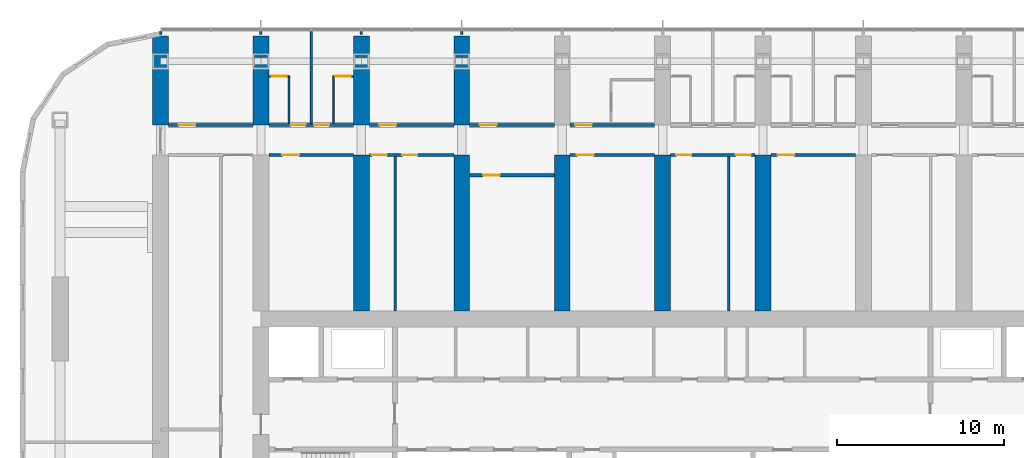
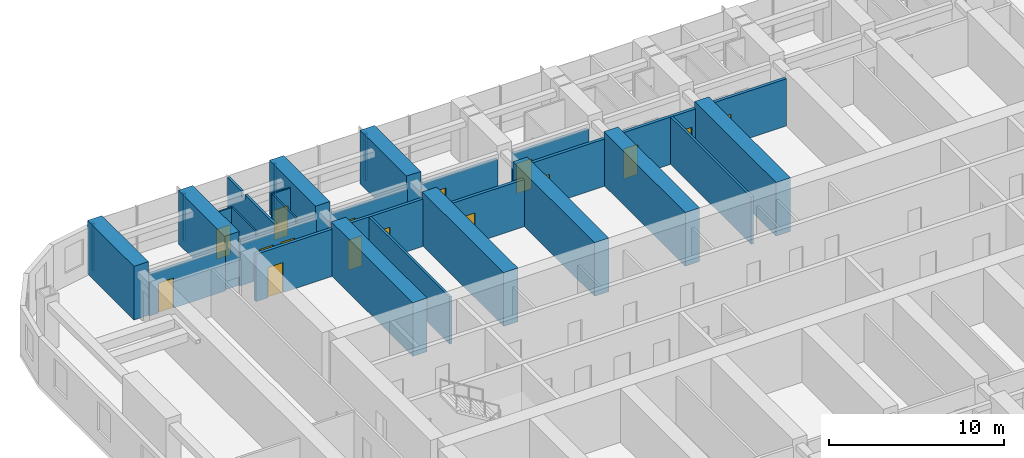
# One storey, part 13 of 21: 31 walls, 16 doors, 16 openings.
"""IFC4 building model written with IfcOpenShell, lengths in metres."""

from ifc_helpers import new_model, si_unit, direction, frame, frame_2d, origin, place, context, subcontext, project, spatial, polyline, rectangle, outline, extrude, material, layer, layer_set, type_object, element, fill, save


model = new_model("IFC4")

# Units and contexts
model_context = context("Model", 3, precision=1e-05, world=origin(), true_north=direction((0.0, 1.0)))
body_context = subcontext(model_context, "Body", "Model", "MODEL_VIEW")
ifc_project = project(units=[si_unit("LENGTHUNIT", "METRE"), si_unit("AREAUNIT", "SQUARE_METRE"), si_unit("VOLUMEUNIT", "CUBIC_METRE"), si_unit("PLANEANGLEUNIT", "RADIAN"), si_unit("MASSUNIT", "GRAM", prefix="KILO")], contexts=[model_context])

# Site, building, storey
site_placement = place(None, origin())
site = spatial("IfcSite", under=ifc_project, at=site_placement, CompositionType="ELEMENT")
building_placement = place(site_placement, origin())
building = spatial("IfcBuilding", under=site, at=building_placement, Name="Orbita Commons", CompositionType="ELEMENT")
storey_placement = place(building_placement, frame((0.0, 0.0, 110.64990234375)))
storey = spatial("IfcBuildingStorey", under=building, at=storey_placement, Name="L27", CompositionType="ELEMENT", Elevation=110.64990234375)

# Wall, opening, door
ifc_material_1 = material(Name="Concrete blockwork", Category="masonry")
ifc_layer_1 = layer(ifc_material_1, 0.199951171875)
ifc_layer_set_1 = layer_set([ifc_layer_1], Name="Concrete blockwork")
wall_type_1 = type_object("IfcWallType", Name="Corridor wall 200 blockwork", PredefinedType="SOLIDWALL", material=ifc_layer_set_1)
wall_1_placement = place(storey_placement, frame((12.47509765625, 49.800048828125, 0.0), z_axis=(0.0, 0.0, 1.0), x_axis=(1.0, 0.0, 0.0)))
wall_1 = element("IfcWall", 1, at=wall_1_placement, inside=storey, type_object=wall_type_1, Name="Corridor wall 200 blockwork L27", PredefinedType="SOLIDWALL", context=body_context, shape_type="SweptSolid", body=[
    extrude(outline(polyline([(0.0, 0.0), (5.0498046875, 0.0), (5.050048828125, 2.900146484375), (0.0, 2.900146484375), (0.0, 0.0)])), frame((0.0, 0.10009765625, 0.0), z_axis=(0.0, -1.0, 0.0), x_axis=(1.0, 0.0, 0.0)), (0.0, 0.0, 1.0), 0.199951171875),
])
opening_1_placement = place(wall_1_placement, frame((0.60009765625, 0.0, 0.0)))
opening_1 = element("IfcOpeningElement", 2, at=opening_1_placement, cuts=wall_1, Name="Opening D06", PredefinedType="OPENING", context=body_context, shape_type="SweptSolid", body=[
    extrude(rectangle(XDim=1.0, YDim=2.10009765625, at=frame_2d((0.5, 1.050048828125))), frame((0.0, 0.10986328125, 0.0), z_axis=(0.0, -1.0, 0.0), x_axis=(1.0, 0.0, 0.0)), (0.0, 0.0, 1.0), 0.219970703125),
])
ifc_material_2 = material(Name="Steel-faced fire door leaf", Category="steel")
door_type_1 = type_object("IfcDoorType", Name="Corridor door 20 min 1000x2100", OperationType="SINGLE_SWING_LEFT", PredefinedType="DOOR", material=ifc_material_2)
door_1_placement = place(opening_1_placement, origin())
door_1 = element("IfcDoor", 3, at=door_1_placement, inside=storey, type_object=door_type_1, Name="Sea-view lounge L27-N00 door", OperationType="SINGLE_SWING_LEFT", OverallHeight=2.10009765625, OverallWidth=1.0, PredefinedType="DOOR", context=body_context, shape_type="SweptSolid", body=[
    extrude(rectangle(XDim=1.0, YDim=2.10009765625, at=frame_2d((0.5, 1.050048828125))), frame((0.0, 0.02490234375, 0.0), z_axis=(0.0, -1.0, 0.0), x_axis=(1.0, 0.0, 0.0)), (0.0, 0.0, 1.0), 0.050048828125),
])
fill(opening_1, door_1)

# Wall, openings, doors
wall_2_placement = place(storey_placement, frame((18.47509765625, 49.800048828125, 0.0), z_axis=(0.0, 0.0, 1.0), x_axis=(1.0, 0.0, 0.0)))
wall_2 = element("IfcWall", 4, at=wall_2_placement, inside=storey, type_object=wall_type_1, Name="Corridor wall 200 blockwork L27", PredefinedType="SOLIDWALL", context=body_context, shape_type="SweptSolid", body=[
    extrude(outline(polyline([(0.0, 0.0), (5.0498046875, 0.0), (5.050048828125, 2.900146484375), (0.0, 2.900146484375), (0.0, 0.0)])), frame((0.0, 0.10009765625, 0.0), z_axis=(0.0, -1.0, 0.0), x_axis=(1.0, 0.0, 0.0)), (0.0, 0.0, 1.0), 0.199951171875),
])
opening_2_placement = place(wall_2_placement, frame((1.300048828125, 0.0, 0.0)))
opening_2 = element("IfcOpeningElement", 5, at=opening_2_placement, cuts=wall_2, Name="Opening D11", PredefinedType="OPENING", context=body_context, shape_type="SweptSolid", body=[
    extrude(rectangle(XDim=0.89990234375, YDim=2.10009765625, at=frame_2d((0.449951171875, 1.050048828125))), frame((0.0, 0.10986328125, 0.0), z_axis=(0.0, -1.0, 0.0), x_axis=(1.0, 0.0, 0.0)), (0.0, 0.0, 1.0), 0.219970703125),
])
opening_3_placement = place(wall_2_placement, frame((2.699951171875, 0.0, 0.0)))
opening_3 = element("IfcOpeningElement", 6, at=opening_3_placement, cuts=wall_2, Name="Opening D11", PredefinedType="OPENING", context=body_context, shape_type="SweptSolid", body=[
    extrude(rectangle(XDim=0.89990234375, YDim=2.10009765625, at=frame_2d((0.449951171875, 1.050048828125))), frame((0.0, 0.10986328125, 0.0), z_axis=(0.0, -1.0, 0.0), x_axis=(1.0, 0.0, 0.0)), (0.0, 0.0, 1.0), 0.219970703125),
])
ifc_material_3 = material(Name="Steel-faced fire door leaf", Category="steel")
door_type_2 = type_object("IfcDoorType", Name="Corridor door 20 min 900x2100", OperationType="SINGLE_SWING_LEFT", PredefinedType="DOOR", material=ifc_material_3)
door_2_placement = place(opening_2_placement, origin())
door_2 = element("IfcDoor", 7, at=door_2_placement, inside=storey, type_object=door_type_2, Name="Cluster bedroom L27-N02 door", OperationType="SINGLE_SWING_LEFT", OverallHeight=2.10009765625, OverallWidth=0.89990234375, PredefinedType="DOOR", context=body_context, shape_type="SweptSolid", body=[
    extrude(rectangle(XDim=0.89990234375, YDim=2.10009765625, at=frame_2d((0.449951171875, 1.050048828125))), frame((0.0, 0.02490234375, 0.0), z_axis=(0.0, -1.0, 0.0), x_axis=(1.0, 0.0, 0.0)), (0.0, 0.0, 1.0), 0.050048828125),
])
fill(opening_2, door_2)
door_3_placement = place(opening_3_placement, origin())
door_3 = element("IfcDoor", 8, at=door_3_placement, inside=storey, type_object=door_type_2, Name="Cluster bedroom L27-N03 door", OperationType="SINGLE_SWING_LEFT", OverallHeight=2.10009765625, OverallWidth=0.89990234375, PredefinedType="DOOR", context=body_context, shape_type="SweptSolid", body=[
    extrude(rectangle(XDim=0.89990234375, YDim=2.10009765625, at=frame_2d((0.449951171875, 1.050048828125))), frame((0.0, 0.02490234375, 0.0), z_axis=(0.0, -1.0, 0.0), x_axis=(1.0, 0.0, 0.0)), (0.0, 0.0, 1.0), 0.050048828125),
])
fill(opening_3, door_3)

# Wall, opening, door
wall_3_placement = place(storey_placement, frame((24.47509765625, 49.800048828125, 0.0), z_axis=(0.0, 0.0, 1.0), x_axis=(1.0, 0.0, 0.0)))
wall_3 = element("IfcWall", 9, at=wall_3_placement, inside=storey, type_object=wall_type_1, Name="Corridor wall 200 blockwork L27", PredefinedType="SOLIDWALL", context=body_context, shape_type="SweptSolid", body=[
    extrude(outline(polyline([(0.0, 0.0), (5.0498046875, 0.0), (5.050048828125, 2.900146484375), (0.0, 2.900146484375), (0.0, 0.0)])), frame((0.0, 0.10009765625, 0.0), z_axis=(0.0, -1.0, 0.0), x_axis=(1.0, 0.0, 0.0)), (0.0, 0.0, 1.0), 0.199951171875),
])
opening_4_placement = place(wall_3_placement, frame((0.60009765625, 0.0, 0.0)))
opening_4 = element("IfcOpeningElement", 10, at=opening_4_placement, cuts=wall_3, Name="Opening D06", PredefinedType="OPENING", context=body_context, shape_type="SweptSolid", body=[
    extrude(rectangle(XDim=1.0, YDim=2.10009765625, at=frame_2d((0.5, 1.050048828125))), frame((0.0, 0.10986328125, 0.0), z_axis=(0.0, -1.0, 0.0), x_axis=(1.0, 0.0, 0.0)), (0.0, 0.0, 1.0), 0.219970703125),
])
door_4_placement = place(opening_4_placement, origin())
door_4 = element("IfcDoor", 11, at=door_4_placement, inside=storey, type_object=door_type_1, Name="Sea-view lounge L27-N04 door", OperationType="SINGLE_SWING_LEFT", OverallHeight=2.10009765625, OverallWidth=1.0, PredefinedType="DOOR", context=body_context, shape_type="SweptSolid", body=[
    extrude(rectangle(XDim=1.0, YDim=2.10009765625, at=frame_2d((0.5, 1.050048828125))), frame((0.0, 0.02490234375, 0.0), z_axis=(0.0, -1.0, 0.0), x_axis=(1.0, 0.0, 0.0)), (0.0, 0.0, 1.0), 0.050048828125),
])
fill(opening_4, door_4)

wall_4_placement = place(storey_placement, frame((30.47509765625, 49.800048828125, 0.0), z_axis=(0.0, 0.0, 1.0), x_axis=(1.0, 0.0, 0.0)))
wall_4 = element("IfcWall", 12, at=wall_4_placement, inside=storey, type_object=wall_type_1, Name="Corridor wall 200 blockwork L27", PredefinedType="SOLIDWALL", context=body_context, shape_type="SweptSolid", body=[
    extrude(outline(polyline([(0.0, 0.0), (5.0498046875, 0.0), (5.050048828125, 2.900146484375), (0.0, 2.900146484375), (0.0, 0.0)])), frame((0.0, 0.10009765625, 0.0), z_axis=(0.0, -1.0, 0.0), x_axis=(1.0, 0.0, 0.0)), (0.0, 0.0, 1.0), 0.199951171875),
])
opening_5_placement = place(wall_4_placement, frame((0.60009765625, 0.0, 0.0)))
opening_5 = element("IfcOpeningElement", 13, at=opening_5_placement, cuts=wall_4, Name="Opening D06", PredefinedType="OPENING", context=body_context, shape_type="SweptSolid", body=[
    extrude(rectangle(XDim=1.0, YDim=2.10009765625, at=frame_2d((0.5, 1.050048828125))), frame((0.0, 0.10986328125, 0.0), z_axis=(0.0, -1.0, 0.0), x_axis=(1.0, 0.0, 0.0)), (0.0, 0.0, 1.0), 0.219970703125),
])
door_5_placement = place(opening_5_placement, origin())
door_5 = element("IfcDoor", 14, at=door_5_placement, inside=storey, type_object=door_type_1, Name="Sea-view lounge L27-N06 door", OperationType="SINGLE_SWING_LEFT", OverallHeight=2.10009765625, OverallWidth=1.0, PredefinedType="DOOR", context=body_context, shape_type="SweptSolid", body=[
    extrude(rectangle(XDim=1.0, YDim=2.10009765625, at=frame_2d((0.5, 1.050048828125))), frame((0.0, 0.02490234375, 0.0), z_axis=(0.0, -1.0, 0.0), x_axis=(1.0, 0.0, 0.0)), (0.0, 0.0, 1.0), 0.050048828125),
])
fill(opening_5, door_5)

wall_5_placement = place(storey_placement, frame((36.47509765625, 49.800048828125, 0.0), z_axis=(0.0, 0.0, 1.0), x_axis=(1.0, 0.0, 0.0)))
wall_5 = element("IfcWall", 15, at=wall_5_placement, inside=storey, type_object=wall_type_1, Name="Corridor wall 200 blockwork L27", PredefinedType="SOLIDWALL", context=body_context, shape_type="SweptSolid", body=[
    extrude(outline(polyline([(0.0, 0.0), (5.0498046875, 0.0), (5.050048828125, 2.900146484375), (0.0, 2.900146484375), (0.0, 0.0)])), frame((0.0, 0.10009765625, 0.0), z_axis=(0.0, -1.0, 0.0), x_axis=(1.0, 0.0, 0.0)), (0.0, 0.0, 1.0), 0.199951171875),
])
opening_6_placement = place(wall_5_placement, frame((0.300048828125, 0.0, 0.0)))
opening_6 = element("IfcOpeningElement", 16, at=opening_6_placement, cuts=wall_5, Name="Opening D06", PredefinedType="OPENING", context=body_context, shape_type="SweptSolid", body=[
    extrude(rectangle(XDim=1.0, YDim=2.10009765625, at=frame_2d((0.5, 1.050048828125))), frame((0.0, 0.10986328125, 0.0), z_axis=(0.0, -1.0, 0.0), x_axis=(1.0, 0.0, 0.0)), (0.0, 0.0, 1.0), 0.219970703125),
])
door_6_placement = place(opening_6_placement, origin())
door_6 = element("IfcDoor", 17, at=door_6_placement, inside=storey, type_object=door_type_1, Name="Accessible bedroom L27-N08 door", OperationType="SINGLE_SWING_LEFT", OverallHeight=2.10009765625, OverallWidth=1.0, PredefinedType="DOOR", context=body_context, shape_type="SweptSolid", body=[
    extrude(rectangle(XDim=1.0, YDim=2.10009765625, at=frame_2d((0.5, 1.050048828125))), frame((0.0, 0.02490234375, 0.0), z_axis=(0.0, -1.0, 0.0), x_axis=(1.0, 0.0, 0.0)), (0.0, 0.0, 1.0), 0.050048828125),
])
fill(opening_6, door_6)

ifc_material_4 = material(Name="Hollow concrete block 200", Category="concrete")
ifc_layer_2 = layer(ifc_material_4, 0.199951171875)
ifc_layer_set_2 = layer_set([ifc_layer_2], Name="Hollow concrete block 200")
wall_type_2 = type_object("IfcWallType", Name="Corridor wall 200 hollow concrete block", PredefinedType="SOLIDWALL", material=ifc_layer_set_2)
wall_6_placement = place(storey_placement, frame((18.47509765625, 48.0, 0.0), z_axis=(0.0, 0.0, 1.0), x_axis=(1.0, 0.0, 0.0)))
wall_6 = element("IfcWall", 18, at=wall_6_placement, inside=storey, type_object=wall_type_2, Name="Corridor wall 200 hollow concrete block L27", PredefinedType="SOLIDWALL", context=body_context, shape_type="SweptSolid", body=[
    extrude(rectangle(XDim=5.0498046875, YDim=0.199951171875, at=frame_2d((2.52490234375, 0.0))), origin(), (0.0, 0.0, 1.0), 3.300048828125),
])
opening_7_placement = place(wall_6_placement, frame((0.800048828125, 0.0, 0.0)))
opening_7 = element("IfcOpeningElement", 19, at=opening_7_placement, cuts=wall_6, Name="Opening D06", PredefinedType="OPENING", context=body_context, shape_type="SweptSolid", body=[
    extrude(rectangle(XDim=1.0, YDim=2.10009765625, at=frame_2d((0.5, 1.050048828125))), frame((0.0, 0.10986328125, 0.0), z_axis=(0.0, -1.0, 0.0), x_axis=(1.0, 0.0, 0.0)), (0.0, 0.0, 1.0), 0.219970703125),
])
door_7_placement = place(opening_7_placement, origin())
door_7 = element("IfcDoor", 20, at=door_7_placement, inside=storey, type_object=door_type_1, Name="Electrical and data room L27-BDN18 door", OperationType="SINGLE_SWING_LEFT", OverallHeight=2.10009765625, OverallWidth=1.0, PredefinedType="DOOR", context=body_context, shape_type="SweptSolid", body=[
    extrude(rectangle(XDim=1.0, YDim=2.10009765625, at=frame_2d((0.5, 1.050048828125))), frame((0.0, 0.02490234375, 0.0), z_axis=(0.0, -1.0, 0.0), x_axis=(1.0, 0.0, 0.0)), (0.0, 0.0, 1.0), 0.050048828125),
])
fill(opening_7, door_7)

# Wall, openings, doors
wall_7_placement = place(storey_placement, frame((24.47509765625, 48.0, 0.0), z_axis=(0.0, 0.0, 1.0), x_axis=(1.0, 0.0, 0.0)))
wall_7 = element("IfcWall", 21, at=wall_7_placement, inside=storey, type_object=wall_type_2, Name="Corridor wall 200 hollow concrete block L27", PredefinedType="SOLIDWALL", context=body_context, shape_type="SweptSolid", body=[
    extrude(rectangle(XDim=5.0498046875, YDim=0.199951171875, at=frame_2d((2.52490234375, 0.0))), origin(), (0.0, 0.0, 1.0), 3.300048828125),
])
opening_8_placement = place(wall_7_placement, frame((0.14990234375, 0.0, 0.0)))
opening_8 = element("IfcOpeningElement", 22, at=opening_8_placement, cuts=wall_7, Name="Opening D11", PredefinedType="OPENING", context=body_context, shape_type="SweptSolid", body=[
    extrude(rectangle(XDim=0.89990234375, YDim=2.10009765625, at=frame_2d((0.449951171875, 1.050048828125))), frame((0.0, 0.10986328125, 0.0), z_axis=(0.0, -1.0, 0.0), x_axis=(1.0, 0.0, 0.0)), (0.0, 0.0, 1.0), 0.219970703125),
])
opening_9_placement = place(wall_7_placement, frame((1.97509765625, 0.0, 0.0)))
opening_9 = element("IfcOpeningElement", 23, at=opening_9_placement, cuts=wall_7, Name="Opening D11", PredefinedType="OPENING", context=body_context, shape_type="SweptSolid", body=[
    extrude(rectangle(XDim=0.89990234375, YDim=2.10009765625, at=frame_2d((0.449951171875, 1.050048828125))), frame((0.0, 0.10986328125, 0.0), z_axis=(0.0, -1.0, 0.0), x_axis=(1.0, 0.0, 0.0)), (0.0, 0.0, 1.0), 0.219970703125),
])
door_8_placement = place(opening_8_placement, origin())
door_8 = element("IfcDoor", 24, at=door_8_placement, inside=storey, type_object=door_type_2, Name="Battery and UPS room L27-BDN24n door", OperationType="SINGLE_SWING_LEFT", OverallHeight=2.10009765625, OverallWidth=0.89990234375, PredefinedType="DOOR", context=body_context, shape_type="SweptSolid", body=[
    extrude(rectangle(XDim=0.89990234375, YDim=2.10009765625, at=frame_2d((0.449951171875, 1.050048828125))), frame((0.0, 0.02490234375, 0.0), z_axis=(0.0, -1.0, 0.0), x_axis=(1.0, 0.0, 0.0)), (0.0, 0.0, 1.0), 0.050048828125),
])
fill(opening_8, door_8)
door_9_placement = place(opening_9_placement, origin())
door_9 = element("IfcDoor", 25, at=door_9_placement, inside=storey, type_object=door_type_2, Name="Storage lockers L27-BDN24 door", OperationType="SINGLE_SWING_LEFT", OverallHeight=2.10009765625, OverallWidth=0.89990234375, PredefinedType="DOOR", context=body_context, shape_type="SweptSolid", body=[
    extrude(rectangle(XDim=0.89990234375, YDim=2.10009765625, at=frame_2d((0.449951171875, 1.050048828125))), frame((0.0, 0.02490234375, 0.0), z_axis=(0.0, -1.0, 0.0), x_axis=(1.0, 0.0, 0.0)), (0.0, 0.0, 1.0), 0.050048828125),
])
fill(opening_9, door_9)

# Wall, opening, door
wall_8_placement = place(storey_placement, frame((36.47509765625, 48.0, 0.0), z_axis=(0.0, 0.0, 1.0), x_axis=(1.0, 0.0, 0.0)))
wall_8 = element("IfcWall", 26, at=wall_8_placement, inside=storey, type_object=wall_type_2, Name="Corridor wall 200 hollow concrete block L27", PredefinedType="SOLIDWALL", context=body_context, shape_type="SweptSolid", body=[
    extrude(rectangle(XDim=5.0498046875, YDim=0.199951171875, at=frame_2d((2.52490234375, 0.0))), origin(), (0.0, 0.0, 1.0), 3.300048828125),
])
opening_10_placement = place(wall_8_placement, frame((0.39990234375, 0.0, 0.0)))
opening_10 = element("IfcOpeningElement", 27, at=opening_10_placement, cuts=wall_8, Name="Opening D06", PredefinedType="OPENING", context=body_context, shape_type="SweptSolid", body=[
    extrude(rectangle(XDim=1.0, YDim=2.10009765625, at=frame_2d((0.5, 1.050048828125))), frame((0.0, 0.10986328125, 0.0), z_axis=(0.0, -1.0, 0.0), x_axis=(1.0, 0.0, 0.0)), (0.0, 0.0, 1.0), 0.219970703125),
])
door_10_placement = place(opening_10_placement, origin())
door_10 = element("IfcDoor", 28, at=door_10_placement, inside=storey, type_object=door_type_1, Name="Parcel and post room L27-BDN36 door", OperationType="SINGLE_SWING_LEFT", OverallHeight=2.10009765625, OverallWidth=1.0, PredefinedType="DOOR", context=body_context, shape_type="SweptSolid", body=[
    extrude(rectangle(XDim=1.0, YDim=2.10009765625, at=frame_2d((0.5, 1.050048828125))), frame((0.0, 0.02490234375, 0.0), z_axis=(0.0, -1.0, 0.0), x_axis=(1.0, 0.0, 0.0)), (0.0, 0.0, 1.0), 0.050048828125),
])
fill(opening_10, door_10)

# Wall, openings, doors
wall_9_placement = place(storey_placement, frame((42.47509765625, 48.0, 0.0), z_axis=(0.0, 0.0, 1.0), x_axis=(1.0, 0.0, 0.0)))
wall_9 = element("IfcWall", 29, at=wall_9_placement, inside=storey, type_object=wall_type_2, Name="Corridor wall 200 hollow concrete block L27", PredefinedType="SOLIDWALL", context=body_context, shape_type="SweptSolid", body=[
    extrude(rectangle(XDim=5.0498046875, YDim=0.199951171875, at=frame_2d((2.52490234375, 0.0))), origin(), (0.0, 0.0, 1.0), 3.300048828125),
])
opening_11_placement = place(wall_9_placement, frame((0.35009765625, 0.0, 0.0)))
opening_11 = element("IfcOpeningElement", 30, at=opening_11_placement, cuts=wall_9, Name="Opening D11", PredefinedType="OPENING", context=body_context, shape_type="SweptSolid", body=[
    extrude(rectangle(XDim=0.89990234375, YDim=2.10009765625, at=frame_2d((0.449951171875, 1.050048828125))), frame((0.0, 0.10986328125, 0.0), z_axis=(0.0, -1.0, 0.0), x_axis=(1.0, 0.0, 0.0)), (0.0, 0.0, 1.0), 0.219970703125),
])
opening_12_placement = place(wall_9_placement, frame((3.905029296875, 0.0, 0.0)))
opening_12 = element("IfcOpeningElement", 31, at=opening_12_placement, cuts=wall_9, Name="Opening D11", PredefinedType="OPENING", context=body_context, shape_type="SweptSolid", body=[
    extrude(rectangle(XDim=0.89990234375, YDim=2.10009765625, at=frame_2d((0.449951171875, 1.050048828125))), frame((0.0, 0.10986328125, 0.0), z_axis=(0.0, -1.0, 0.0), x_axis=(1.0, 0.0, 0.0)), (0.0, 0.0, 1.0), 0.219970703125),
])
door_11_placement = place(opening_11_placement, origin())
door_11 = element("IfcDoor", 32, at=door_11_placement, inside=storey, type_object=door_type_2, Name="Ventilation plant room south L27-BDN42 door", OperationType="SINGLE_SWING_LEFT", OverallHeight=2.10009765625, OverallWidth=0.89990234375, PredefinedType="DOOR", context=body_context, shape_type="SweptSolid", body=[
    extrude(rectangle(XDim=0.89990234375, YDim=2.10009765625, at=frame_2d((0.449951171875, 1.050048828125))), frame((0.0, 0.02490234375, 0.0), z_axis=(0.0, -1.0, 0.0), x_axis=(1.0, 0.0, 0.0)), (0.0, 0.0, 1.0), 0.050048828125),
])
fill(opening_11, door_11)
door_12_placement = place(opening_12_placement, origin())
door_12 = element("IfcDoor", 33, at=door_12_placement, inside=storey, type_object=door_type_2, Name="Sprinkler valve room L27-BDN42n door", OperationType="SINGLE_SWING_LEFT", OverallHeight=2.10009765625, OverallWidth=0.89990234375, PredefinedType="DOOR", context=body_context, shape_type="SweptSolid", body=[
    extrude(rectangle(XDim=0.89990234375, YDim=2.10009765625, at=frame_2d((0.449951171875, 1.050048828125))), frame((0.0, 0.02490234375, 0.0), z_axis=(0.0, -1.0, 0.0), x_axis=(1.0, 0.0, 0.0)), (0.0, 0.0, 1.0), 0.050048828125),
])
fill(opening_12, door_12)

# Wall, opening, door
wall_10_placement = place(storey_placement, frame((48.47509765625, 48.0, 0.0), z_axis=(0.0, 0.0, 1.0), x_axis=(1.0, 0.0, 0.0)))
wall_10 = element("IfcWall", 34, at=wall_10_placement, inside=storey, type_object=wall_type_2, Name="Corridor wall 200 hollow concrete block L27", PredefinedType="SOLIDWALL", context=body_context, shape_type="SweptSolid", body=[
    extrude(rectangle(XDim=5.0498046875, YDim=0.199951171875, at=frame_2d((2.52490234375, 0.0))), origin(), (0.0, 0.0, 1.0), 3.300048828125),
])
opening_13_placement = place(wall_10_placement, frame((0.39990234375, 0.0, 0.0)))
opening_13 = element("IfcOpeningElement", 35, at=opening_13_placement, cuts=wall_10, Name="Opening D06", PredefinedType="OPENING", context=body_context, shape_type="SweptSolid", body=[
    extrude(rectangle(XDim=1.0, YDim=2.10009765625, at=frame_2d((0.5, 1.050048828125))), frame((0.0, 0.10986328125, 0.0), z_axis=(0.0, -1.0, 0.0), x_axis=(1.0, 0.0, 0.0)), (0.0, 0.0, 1.0), 0.219970703125),
])
door_13_placement = place(opening_13_placement, origin())
door_13 = element("IfcDoor", 36, at=door_13_placement, inside=storey, type_object=door_type_1, Name="Linen store L27-BDN48 door", OperationType="SINGLE_SWING_LEFT", OverallHeight=2.10009765625, OverallWidth=1.0, PredefinedType="DOOR", context=body_context, shape_type="SweptSolid", body=[
    extrude(rectangle(XDim=1.0, YDim=2.10009765625, at=frame_2d((0.5, 1.050048828125))), frame((0.0, 0.02490234375, 0.0), z_axis=(0.0, -1.0, 0.0), x_axis=(1.0, 0.0, 0.0)), (0.0, 0.0, 1.0), 0.050048828125),
])
fill(opening_13, door_13)

wall_11_placement = place(storey_placement, frame((30.47509765625, 46.800048828125, 0.0), z_axis=(0.0, 0.0, 1.0), x_axis=(1.0, 0.0, 0.0)))
wall_11 = element("IfcWall", 37, at=wall_11_placement, inside=storey, type_object=wall_type_2, Name="Corridor wall 200 hollow concrete block L27", PredefinedType="SOLIDWALL", context=body_context, shape_type="SweptSolid", body=[
    extrude(rectangle(XDim=5.0498046875, YDim=0.199951171875, at=frame_2d((2.52490234375, 0.0))), origin(), (0.0, 0.0, 1.0), 3.300048828125),
])
opening_14_placement = place(wall_11_placement, frame((0.800048828125, 0.0, 0.0)))
opening_14 = element("IfcOpeningElement", 38, at=opening_14_placement, cuts=wall_11, Name="Opening D06", PredefinedType="OPENING", context=body_context, shape_type="SweptSolid", body=[
    extrude(rectangle(XDim=1.0, YDim=2.10009765625, at=frame_2d((0.5, 1.050048828125))), frame((0.0, 0.10986328125, 0.0), z_axis=(0.0, -1.0, 0.0), x_axis=(1.0, 0.0, 0.0)), (0.0, 0.0, 1.0), 0.219970703125),
])
door_14_placement = place(opening_14_placement, origin())
door_14 = element("IfcDoor", 39, at=door_14_placement, inside=storey, type_object=door_type_1, Name="Ventilation plant room north L27-BDN30 door", OperationType="SINGLE_SWING_LEFT", OverallHeight=2.10009765625, OverallWidth=1.0, PredefinedType="DOOR", context=body_context, shape_type="SweptSolid", body=[
    extrude(rectangle(XDim=1.0, YDim=2.10009765625, at=frame_2d((0.5, 1.050048828125))), frame((0.0, 0.02490234375, 0.0), z_axis=(0.0, -1.0, 0.0), x_axis=(1.0, 0.0, 0.0)), (0.0, 0.0, 1.0), 0.050048828125),
])
fill(opening_14, door_14)

# Walls
ifc_material_5 = material(Name="Concrete C50/60", Category="concrete")
ifc_layer_3 = layer(ifc_material_5, 0.949951171875)
ifc_layer_set_3 = layer_set([ifc_layer_3], Name="Concrete C50/60")
wall_type_3 = type_object("IfcWallType", Name="Cross wall 950 C50/60", PredefinedType="SHEAR", material=ifc_layer_set_3)
for number, where, z_axis, x_axis, name in (
    (40, (12.0, 49.800048828125, 0.0), (0.0, 0.0, 1.0), (0.0, 1.0, 0.0), "Cross wall 3 north outer L27"),
    (41, (18.0, 49.800048828125, 0.0), (0.0, 0.0, 1.0), (0.0, 1.0, 0.0), "Cross wall 4 north outer L27"),
    (42, (24.0, 49.800048828125, 0.0), (0.0, 0.0, 1.0), (0.0, 1.0, 0.0), "Cross wall 5 north outer L27"),
):
    element("IfcWall", number, at=place(storey_placement, frame(where, z_axis=z_axis, x_axis=x_axis)), inside=storey, type_object=wall_type_3, Name=name, PredefinedType="SHEAR", context=body_context, shape_type="SweptSolid", body=[
        extrude(rectangle(XDim=5.300048828125, YDim=0.949951171875, at=frame_2d((2.64990234375, 0.0))), origin(), (0.0, 0.0, 1.0), 3.75),
    ])
wall_12_placement = place(storey_placement, frame((24.0, 38.675048828125, 0.0), z_axis=(0.0, 0.0, 1.0), x_axis=(0.0, 1.0, 0.0)))
element("IfcWall", 43, at=wall_12_placement, inside=storey, type_object=wall_type_3, Name="Cross wall 5 north inner L27", PredefinedType="SHEAR", context=body_context, shape_type="SweptSolid", body=[
    extrude(rectangle(XDim=9.324951171875, YDim=0.949951171875, at=frame_2d((4.66259765625, 0.0))), origin(), (0.0, 0.0, 1.0), 3.75),
])
wall_13_placement = place(storey_placement, frame((30.0, 49.800048828125, 0.0), z_axis=(0.0, 0.0, 1.0), x_axis=(0.0, 1.0, 0.0)))
element("IfcWall", 44, at=wall_13_placement, inside=storey, type_object=wall_type_3, Name="Cross wall 6 north outer L27", PredefinedType="SHEAR", context=body_context, shape_type="SweptSolid", body=[
    extrude(rectangle(XDim=5.300048828125, YDim=0.949951171875, at=frame_2d((2.64990234375, 0.0))), origin(), (0.0, 0.0, 1.0), 3.75),
])
for number, where, z_axis, x_axis, name in (
    (45, (30.0, 38.675048828125, 0.0), (0.0, 0.0, 1.0), (0.0, 1.0, 0.0), "Cross wall 6 north inner L27"),
    (46, (36.0, 38.675048828125, 0.0), (0.0, 0.0, 1.0), (0.0, 1.0, 0.0), "Cross wall 7 north inner L27"),
    (47, (42.0, 38.675048828125, 0.0), (0.0, 0.0, 1.0), (0.0, 1.0, 0.0), "Cross wall 8 north inner L27"),
    (48, (48.0, 38.675048828125, 0.0), (0.0, 0.0, 1.0), (0.0, 1.0, 0.0), "Cross wall 9 north inner L27"),
):
    element("IfcWall", number, at=place(storey_placement, frame(where, z_axis=z_axis, x_axis=x_axis)), inside=storey, type_object=wall_type_3, Name=name, PredefinedType="SHEAR", context=body_context, shape_type="SweptSolid", body=[
        extrude(rectangle(XDim=9.324951171875, YDim=0.949951171875, at=frame_2d((4.66259765625, 0.0))), origin(), (0.0, 0.0, 1.0), 3.75),
    ])

# Wall, opening, door
ifc_material_6 = material(Name="Moisture-resistant plasterboard on steel studs", Category="steel")
ifc_layer_4 = layer(ifc_material_6, 0.10009765625)
ifc_layer_set_4 = layer_set([ifc_layer_4], Name="Moisture-resistant plasterboard on steel studs")
wall_type_4 = type_object("IfcWallType", Name="En-suite partition 100", PredefinedType="PARTITIONING", material=ifc_layer_set_4)
wall_14_placement = place(storey_placement, frame((18.47509765625, 52.699951171875, 0.0), z_axis=(0.0, 0.0, 1.0), x_axis=(1.0, 0.0, 0.0)))
wall_14 = element("IfcWall", 49, at=wall_14_placement, inside=storey, type_object=wall_type_4, Name="En-suite partition 100 L27", PredefinedType="PARTITIONING", context=body_context, shape_type="SweptSolid", body=[
    extrude(rectangle(XDim=1.25, YDim=0.10009765625, at=frame_2d((0.625, 0.0))), origin(), (0.0, 0.0, 1.0), 3.300048828125),
])
opening_15_placement = place(wall_14_placement, frame((0.175048828125, 0.0, 0.0)))
opening_15 = element("IfcOpeningElement", 50, at=opening_15_placement, cuts=wall_14, Name="Opening D09", PredefinedType="OPENING", context=body_context, shape_type="SweptSolid", body=[
    extrude(rectangle(XDim=0.89990234375, YDim=2.10009765625, at=frame_2d((0.449951171875, 1.050048828125))), frame((0.0, 0.06005859375, 0.0), z_axis=(0.0, -1.0, 0.0), x_axis=(1.0, 0.0, 0.0)), (0.0, 0.0, 1.0), 0.1201171875),
])
ifc_material_7 = material(Name="Laminated timber door leaf", Category="wood")
door_type_3 = type_object("IfcDoorType", Name="En-suite door 900x2100", OperationType="SINGLE_SWING_RIGHT", PredefinedType="DOOR", material=ifc_material_7)
door_15_placement = place(opening_15_placement, origin())
door_15 = element("IfcDoor", 51, at=door_15_placement, inside=storey, type_object=door_type_3, Name="En-suite L27-N02 door", OperationType="SINGLE_SWING_RIGHT", OverallHeight=2.10009765625, OverallWidth=0.89990234375, PredefinedType="DOOR", context=body_context, shape_type="SweptSolid", body=[
    extrude(rectangle(XDim=0.89990234375, YDim=2.10009765625, at=frame_2d((0.449951171875, 1.050048828125))), frame((0.0, 0.02490234375, 0.0), z_axis=(0.0, -1.0, 0.0), x_axis=(1.0, 0.0, 0.0)), (0.0, 0.0, 1.0), 0.050048828125),
])
fill(opening_15, door_15)

# Wall
wall_15_placement = place(storey_placement, frame((19.675048828125, 52.64990234375, 0.0), z_axis=(0.0, 0.0, 1.0), x_axis=(0.0, -1.0, 0.0)))
element("IfcWall", 52, at=wall_15_placement, inside=storey, type_object=wall_type_4, Name="En-suite partition 100 L27", PredefinedType="PARTITIONING", context=body_context, shape_type="SweptSolid", body=[
    extrude(outline(polyline([(0.0, 0.0), (2.75, 0.0), (2.75, 2.900146484375), (2.701904296875, 2.900146484375), (2.699951171875, 3.300048828125), (0.0, 3.300048828125), (0.0, 0.0)])), frame((0.0, 0.050048828125, 0.0), z_axis=(0.0, -1.0, 0.0), x_axis=(1.0, 0.0, 0.0)), (0.0, 0.0, 1.0), 0.10009765625),
])

# Wall, opening, door
wall_16_placement = place(storey_placement, frame((22.27490234375, 52.699951171875, 0.0), z_axis=(0.0, 0.0, 1.0), x_axis=(1.0, 0.0, 0.0)))
wall_16 = element("IfcWall", 53, at=wall_16_placement, inside=storey, type_object=wall_type_4, Name="En-suite partition 100 L27", PredefinedType="PARTITIONING", context=body_context, shape_type="SweptSolid", body=[
    extrude(rectangle(XDim=1.25, YDim=0.10009765625, at=frame_2d((0.625, 0.0))), origin(), (0.0, 0.0, 1.0), 3.300048828125),
])
opening_16_placement = place(wall_16_placement, frame((0.175048828125, 0.0, 0.0)))
opening_16 = element("IfcOpeningElement", 54, at=opening_16_placement, cuts=wall_16, Name="Opening D09", PredefinedType="OPENING", context=body_context, shape_type="SweptSolid", body=[
    extrude(rectangle(XDim=0.89990234375, YDim=2.10009765625, at=frame_2d((0.449951171875, 1.050048828125))), frame((0.0, 0.06005859375, 0.0), z_axis=(0.0, -1.0, 0.0), x_axis=(1.0, 0.0, 0.0)), (0.0, 0.0, 1.0), 0.1201171875),
])
door_16_placement = place(opening_16_placement, origin())
door_16 = element("IfcDoor", 55, at=door_16_placement, inside=storey, type_object=door_type_3, Name="En-suite L27-N03 door", OperationType="SINGLE_SWING_RIGHT", OverallHeight=2.10009765625, OverallWidth=0.89990234375, PredefinedType="DOOR", context=body_context, shape_type="SweptSolid", body=[
    extrude(rectangle(XDim=0.89990234375, YDim=2.10009765625, at=frame_2d((0.449951171875, 1.050048828125))), frame((0.0, 0.02490234375, 0.0), z_axis=(0.0, -1.0, 0.0), x_axis=(1.0, 0.0, 0.0)), (0.0, 0.0, 1.0), 0.050048828125),
])
fill(opening_16, door_16)

# Walls
wall_17_placement = place(storey_placement, frame((22.324951171875, 52.64990234375, 0.0), z_axis=(0.0, 0.0, 1.0), x_axis=(0.0, -1.0, 0.0)))
element("IfcWall", 56, at=wall_17_placement, inside=storey, type_object=wall_type_4, Name="En-suite partition 100 L27", PredefinedType="PARTITIONING", context=body_context, shape_type="SweptSolid", body=[
    extrude(outline(polyline([(0.0, 0.0), (2.75, 0.0), (2.75, 2.900146484375), (2.701904296875, 2.900146484375), (2.699951171875, 3.300048828125), (0.0, 3.300048828125), (0.0, 0.0)])), frame((0.0, 0.050048828125, 0.0), z_axis=(0.0, -1.0, 0.0), x_axis=(1.0, 0.0, 0.0)), (0.0, 0.0, 1.0), 0.10009765625),
])
ifc_material_8 = material(Name="Gypsum plasterboard on steel studs", Category="steel")
ifc_layer_5 = layer(ifc_material_8, 0.14990234375)
ifc_layer_set_5 = layer_set([ifc_layer_5], Name="Gypsum plasterboard on steel studs")
wall_type_5 = type_object("IfcWallType", Name="Partition 150 plasterboard", PredefinedType="PARTITIONING", material=ifc_layer_set_5)
for number, where, z_axis, x_axis, name in (
    (57, (26.02490234375, 38.675048828125, 0.0), (0.0, 0.0, 1.0), (0.0, 1.0, 0.0), "Partition 150 plasterboard L27"),
    (58, (45.955078125, 38.675048828125, 0.0), (0.0, 0.0, 1.0), (0.0, 1.0, 0.0), "Partition 150 plasterboard L27"),
):
    element("IfcWall", number, at=place(storey_placement, frame(where, z_axis=z_axis, x_axis=x_axis)), inside=storey, type_object=wall_type_5, Name=name, PredefinedType="PARTITIONING", context=body_context, shape_type="SweptSolid", body=[
        extrude(rectangle(XDim=9.224853515625, YDim=0.14990234375, at=frame_2d((4.6123046875, 0.0))), origin(), (0.0, 0.0, 1.0), 3.300048828125),
    ])
wall_18_placement = place(storey_placement, frame((12.0, 55.199951171875, 0.0), z_axis=(0.0, 0.0, 1.0), x_axis=(0.0, 1.0, 0.0)))
element("IfcWall", 59, at=wall_18_placement, inside=storey, type_object=wall_type_5, Name="Partition 150 plasterboard L27", PredefinedType="PARTITIONING", context=body_context, shape_type="SweptSolid", body=[
    extrude(rectangle(XDim=0.219970703125, YDim=0.14990234375, at=frame_2d((0.10986328125, 0.0))), origin(), (0.0, 0.0, 1.0), 3.300048828125),
])
for number, where, z_axis, x_axis, name in (
    (60, (18.0, 55.199951171875, 0.0), (0.0, 0.0, 1.0), (0.0, 1.0, 0.0), "Partition 150 plasterboard L27"),
    (61, (24.0, 55.199951171875, 0.0), (0.0, 0.0, 1.0), (0.0, 1.0, 0.0), "Partition 150 plasterboard L27"),
    (62, (30.0, 55.199951171875, 0.0), (0.0, 0.0, 1.0), (0.0, 1.0, 0.0), "Partition 150 plasterboard L27"),
):
    element("IfcWall", number, at=place(storey_placement, frame(where, z_axis=z_axis, x_axis=x_axis)), inside=storey, type_object=wall_type_5, Name=name, PredefinedType="PARTITIONING", context=body_context, shape_type="SweptSolid", body=[
        extrude(rectangle(XDim=0.18994140625, YDim=0.14990234375, at=frame_2d((0.094970703125, 0.0))), origin(), (0.0, 0.0, 1.0), 3.300048828125),
    ])
ifc_material_9 = material(Name="Gypsum plasterboard on steel studs", Category="steel")
ifc_layer_6 = layer(ifc_material_9, 0.14990234375)
ifc_layer_set_6 = layer_set([ifc_layer_6], Name="Gypsum plasterboard on steel studs")
wall_type_6 = type_object("IfcWallType", Name="Party wall 150 plasterboard", PredefinedType="PARTITIONING", material=ifc_layer_set_6)
wall_19_placement = place(storey_placement, frame((21.0, 55.389892578125, 0.0), z_axis=(0.0, 0.0, 1.0), x_axis=(0.0, -1.0, 0.0)))
element("IfcWall", 63, at=wall_19_placement, inside=storey, type_object=wall_type_6, Name="Party wall 150 plasterboard L27", PredefinedType="PARTITIONING", context=body_context, shape_type="SweptSolid", body=[
    extrude(outline(polyline([(0.0, 0.0), (5.489990234375, 0.0), (5.489990234375, 2.900146484375), (5.44189453125, 2.900146484375), (5.43994140625, 3.300048828125), (1.991943359375, 3.300048828125), (1.989990234375, 2.900146484375), (1.592041015625, 2.900146484375), (1.590087890625, 3.300048828125), (0.0, 3.300048828125), (0.0, 0.0)])), frame((0.0, 0.074951171875, 0.0), z_axis=(0.0, -1.0, 0.0), x_axis=(1.0, 0.0, 0.0)), (0.0, 0.0, 1.0), 0.14990234375),
])

save(model, "model.ifc")
